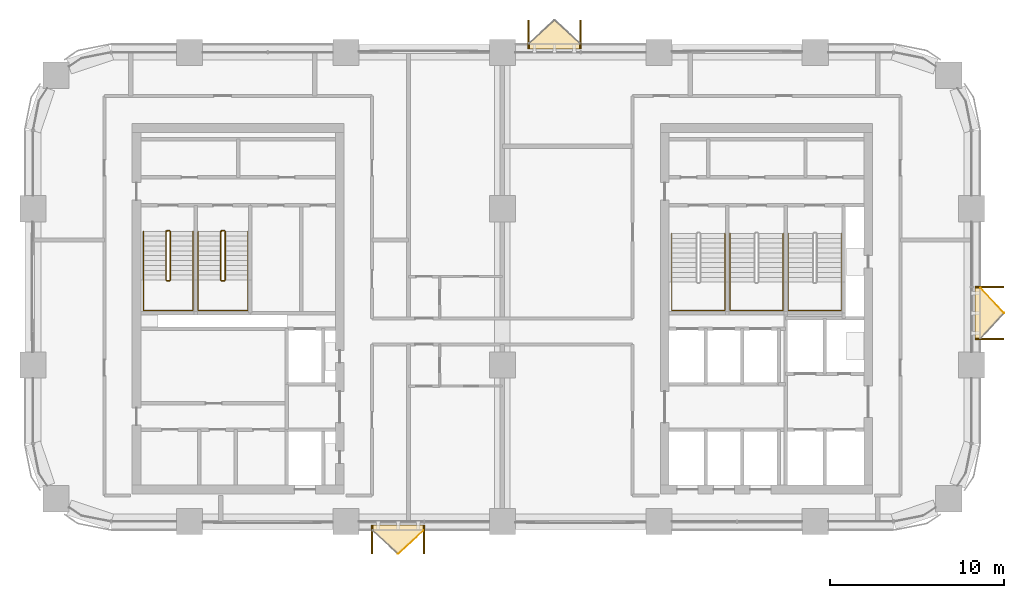
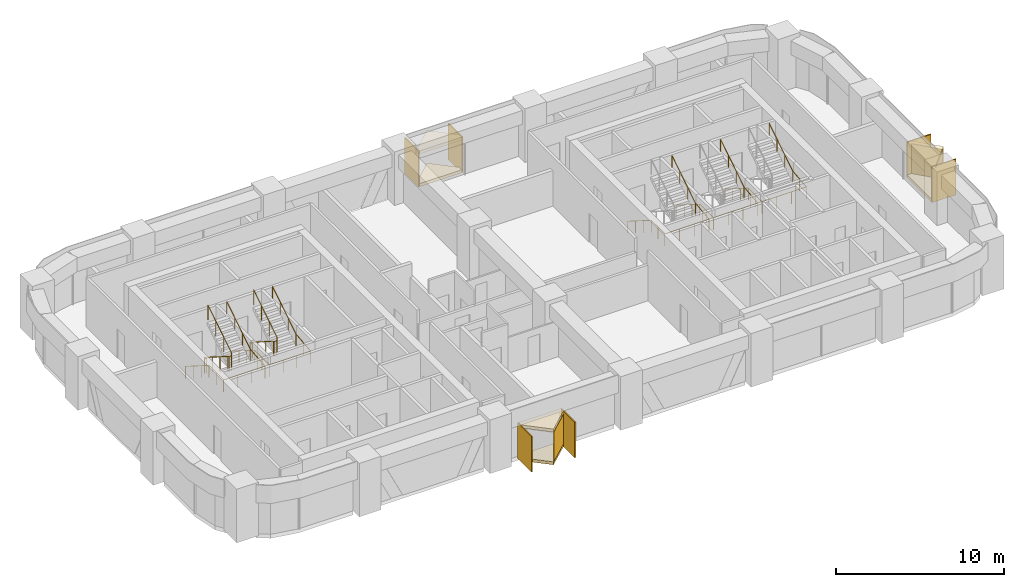
# One storey, part 12 of 13: 14 coverings, 7 railings.
"""IFC4 building model written with IfcOpenShell, lengths in metres."""

import ifcopenshell
import ifcopenshell.guid

model = None  # the IFC model being written
_history = None  # IfcOwnerHistory: only IFC2X3 demands one
_inside = {}  # id of a spatial element -> (the spatial element, [elements in it])
_under = {}  # id of a project, library or spatial element -> (it, [spatial elements below it])
_declared = {}  # id of a project -> (the project, [libraries it declares])
_typed = {}  # id of a type object -> (the type object, [elements of that type])
_made_of = {}  # id of a material, layer set ... -> (it, [elements and type objects made of it])


def new_model(schema):
    """Start an empty IFC model of exactly this schema.

    Asked for "IFC4X3", IfcOpenShell would pick the latest addendum, in which some entities
    have other attributes; the version numbers below select the first issue.
    IFC2X3 requires an IfcOwnerHistory on every rooted entity: one is made here for all.
    """
    global model, _history
    if schema == "IFC4X3":
        model = ifcopenshell.file(schema_version=(4, 3, 0, 0))
    else:
        model = ifcopenshell.file(schema=schema)
    _inside.clear()
    _under.clear()
    _declared.clear()
    _typed.clear()
    _made_of.clear()
    _history = None
    if model.schema == "IFC2X3":
        org = make("IfcOrganization", Name="unknown")
        user = make(
            "IfcPersonAndOrganization",
            ThePerson=make("IfcPerson", FamilyName="unknown"),
            TheOrganization=org,
        )
        app = make(
            "IfcApplication",
            ApplicationDeveloper=org,
            Version="unknown",
            ApplicationFullName="unknown",
            ApplicationIdentifier="unknown",
        )
        _history = make(
            "IfcOwnerHistory",
            OwningUser=user,
            OwningApplication=app,
            ChangeAction="ADDED",
            CreationDate=0,
        )
    return model


def make(cls, **values):
    """One entity of the class cls with the attributes given. An attribute that is None is left unset."""
    return model.create_entity(
        cls, **{name: value for name, value in values.items() if value is not None}
    )


def rooted(cls, **values):
    """An entity with a GlobalId (a new one), such as an element, a storey or a relation."""
    return make(cls, GlobalId=ifcopenshell.guid.new(), OwnerHistory=_history, **values)


def si_unit(unit_type, name, prefix=None):
    """IfcSIUnit, for example si_unit("LENGTHUNIT", "METRE", prefix="MILLI")."""
    return make("IfcSIUnit", UnitType=unit_type, Prefix=prefix, Name=name)


def assignment(units):
    """IfcUnitAssignment: the units of a project."""
    return None if units is None else make("IfcUnitAssignment", Units=units)


def point(xyz):
    """IfcCartesianPoint."""
    return None if xyz is None else make("IfcCartesianPoint", Coordinates=xyz)


def direction(xyz):
    """IfcDirection."""
    return None if xyz is None else make("IfcDirection", DirectionRatios=xyz)


def frame(location, z_axis=None, x_axis=None):
    """IfcAxis2Placement3D, a coordinate frame: its origin and axes. An axis left out is left unset."""
    return make(
        "IfcAxis2Placement3D",
        Location=point(location),
        Axis=direction(z_axis),
        RefDirection=direction(x_axis),
    )


def frame_2d(location, x_axis=None):
    """IfcAxis2Placement2D, a coordinate frame in the plane: its origin and x axis."""
    return make(
        "IfcAxis2Placement2D", Location=point(location), RefDirection=direction(x_axis)
    )


def origin():
    """The frame at (0, 0, 0) with its axes left unset."""
    return frame((0.0, 0.0, 0.0))


def origin_2d():
    """The frame at (0, 0) in the plane with its x axis left unset."""
    return frame_2d((0.0, 0.0))


def place(relative_to, where):
    """IfcLocalPlacement: puts the frame where relative to a parent placement (None: the world)."""
    return make(
        "IfcLocalPlacement", PlacementRelTo=relative_to, RelativePlacement=where
    )


def context(
    kind, dimensions, precision=None, world=None, true_north=None, identifier=None
):
    """IfcGeometricRepresentationContext, for example the 3D "Model" context."""
    return make(
        "IfcGeometricRepresentationContext",
        ContextIdentifier=identifier,
        ContextType=kind,
        CoordinateSpaceDimension=dimensions,
        Precision=precision,
        WorldCoordinateSystem=world,
        TrueNorth=true_north,
    )


def subcontext(parent, identifier, kind, view, scale=None):
    """IfcGeometricRepresentationSubContext, for example "Body" below "Model"."""
    return make(
        "IfcGeometricRepresentationSubContext",
        ContextIdentifier=identifier,
        ContextType=kind,
        ParentContext=parent,
        TargetScale=scale,
        TargetView=view,
    )


def project(units=None, contexts=None):
    """IfcProject with its units and contexts."""
    return rooted(
        "IfcProject",
        Name="project",
        RepresentationContexts=contexts,
        UnitsInContext=assignment(units),
    )


def spatial(cls, under=None, at=None, **own):
    """A site, building, storey or space (cls), placed at a placement, below another one or the project."""
    s = rooted(cls, ObjectPlacement=at, **own)
    if under is not None:
        _under.setdefault(under.id(), (under, []))[1].append(s)
    return s


def polyline(points):
    """IfcPolyline through the points."""
    return make("IfcPolyline", Points=[point(p) for p in points])


def profile(cls, at=None, kind="AREA", **sizes):
    """A parametric profile (cls). Its sizes go by their IFC names, for example OverallWidth=200.0."""
    return make(cls, ProfileType=kind, Position=at, **sizes)


def rectangle(**sizes):
    """IfcRectangleProfileDef."""
    return profile("IfcRectangleProfileDef", **sizes)


def circle(**sizes):
    """IfcCircleProfileDef."""
    return profile("IfcCircleProfileDef", **sizes)


def outline(outer, holes=None, kind="AREA"):
    """IfcArbitraryClosedProfileDef: a profile drawn as a closed curve; with holes, ...WithVoids."""
    if holes is None:
        return make("IfcArbitraryClosedProfileDef", ProfileType=kind, OuterCurve=outer)
    return make(
        "IfcArbitraryProfileDefWithVoids",
        ProfileType=kind,
        OuterCurve=outer,
        InnerCurves=holes,
    )


def extrude(swept, where, along, depth):
    """IfcExtrudedAreaSolid: the profile swept, set in the frame where, extruded along a direction by depth."""
    return make(
        "IfcExtrudedAreaSolid",
        SweptArea=swept,
        Position=where,
        ExtrudedDirection=direction(along),
        Depth=depth,
    )


def shape(context_of_items, identifier, shape_type, items):
    """IfcShapeRepresentation: the items that make up one representation, for example the "Body"."""
    return make(
        "IfcShapeRepresentation",
        ContextOfItems=context_of_items,
        RepresentationIdentifier=identifier,
        RepresentationType=shape_type,
        Items=items,
    )


def material(Name=None, Category=None):
    """IfcMaterial."""
    return make("IfcMaterial", Name=Name, Category=Category)


def layer(
    of_material, thickness, ventilated=None, Name=None, Category=None, Priority=None
):
    """IfcMaterialLayer: one layer of a wall or slab, of a material (None: an air gap)."""
    return make(
        "IfcMaterialLayer",
        Material=of_material,
        LayerThickness=thickness,
        IsVentilated=ventilated,
        Name=Name,
        Category=Category,
        Priority=Priority,
    )


def layer_set(layers, Name=None):
    """IfcMaterialLayerSet."""
    return make("IfcMaterialLayerSet", MaterialLayers=layers, LayerSetName=Name)


def made_of(thing, what):
    """Note that an element or type object is made of a material, layer set ...; save() writes the relation."""
    if what is not None:
        _made_of.setdefault(what.id(), (what, []))[1].append(thing)
    return thing


def type_object(cls, material=None, **own):
    """A type object (cls), such as IfcWallType, which elements share."""
    return made_of(rooted(cls, **own), material)


def element(
    cls,
    number,
    at=None,
    inside=None,
    cuts=None,
    type_object=None,
    material=None,
    context=None,
    identifier="Body",
    shape_type=None,
    held_by="IfcProductDefinitionShape",
    body=None,
    shapes=None,
    **own,
):
    """One element of the class cls, such as IfcWall. Its Tag is "e" and its number.

    at: its placement. inside: the storey or other place that contains it. cuts: it is an
    opening in that element (IfcRelVoidsElement). A single representation is given by context,
    identifier, shape_type and body (its items); several are given by shapes. held_by: the class
    of the entity that holds the representations. save() writes the other relations.
    """
    e = rooted(cls, Tag="e%d" % number, ObjectPlacement=at, **own)
    if body is not None:
        shapes = [shape(context, identifier, shape_type, body)]
    if shapes is not None:
        e.Representation = make(held_by, Representations=shapes)
    if inside is not None:
        _inside.setdefault(inside.id(), (inside, []))[1].append(e)
    if cuts is not None:
        rooted(
            "IfcRelVoidsElement", RelatingBuildingElement=cuts, RelatedOpeningElement=e
        )
    if type_object is not None:
        _typed.setdefault(type_object.id(), (type_object, []))[1].append(e)
    return made_of(e, material)


def aggregate(whole, parts):
    """IfcRelAggregates: a whole, such as a stair, and the parts it consists of."""
    return rooted("IfcRelAggregates", RelatingObject=whole, RelatedObjects=parts)


def save(model, path):
    """Write the relations noted so far, then the file.

    IfcRelAggregates (storeys below a building ...), IfcRelContainedInSpatialStructure (elements
    in a storey), IfcRelDefinesByType, IfcRelAssociatesMaterial and IfcRelDeclares: one each for
    every whole, place, type object, material and project.
    """
    for whole, parts in _under.values():
        aggregate(whole, parts)
    for where, things in _inside.values():
        rooted(
            "IfcRelContainedInSpatialStructure",
            RelatedElements=things,
            RelatingStructure=where,
        )
    for kind, things in _typed.values():
        rooted("IfcRelDefinesByType", RelatedObjects=things, RelatingType=kind)
    for what, things in _made_of.values():
        rooted("IfcRelAssociatesMaterial", RelatedObjects=things, RelatingMaterial=what)
    for by, libraries in _declared.values():
        rooted("IfcRelDeclares", RelatingContext=by, RelatedDefinitions=libraries)
    model.write(path)


model = new_model("IFC4")

# Units and contexts
model_context = context("Model", 3, precision=1e-05, world=origin(), true_north=direction((0.0, 1.0)))
body_context = subcontext(model_context, "Body", "Model", "MODEL_VIEW")
ifc_project = project(units=[si_unit("LENGTHUNIT", "METRE"), si_unit("AREAUNIT", "SQUARE_METRE"), si_unit("VOLUMEUNIT", "CUBIC_METRE"), si_unit("PLANEANGLEUNIT", "RADIAN"), si_unit("MASSUNIT", "GRAM", prefix="KILO")], contexts=[model_context])

# Site, building, storey
site_placement = place(None, origin())
site = spatial("IfcSite", under=ifc_project, at=site_placement, CompositionType="ELEMENT")
building_placement = place(site_placement, origin())
building = spatial("IfcBuilding", under=site, at=building_placement, Name="Tessera Arch", CompositionType="ELEMENT")
storey_placement = place(building_placement, frame((0.0, 0.0, 162.199951171875)))
storey = spatial("IfcBuildingStorey", under=building, at=storey_placement, Name="L38", CompositionType="ELEMENT", Elevation=162.199951171875)

# Railings
ifc_material_1 = material(Name="Painted steel balustrade", Category="steel")
railing_type_1 = type_object("IfcRailingType", Name="Stair guard 1100", PredefinedType="GUARDRAIL", material=ifc_material_1)
railing_1_placement = place(storey_placement, frame((7.699951171875, 43.75, 0.0)))
element("IfcRailing", 1, at=railing_1_placement, inside=storey, type_object=railing_type_1, Name="L38 S2a stair guard 1", PredefinedType="GUARDRAIL", context=body_context, shape_type="SweptSolid", body=[
    extrude(circle(Radius=0.02392578125, at=origin_2d()), frame((-0.00390625, 0.0, 1.076171875), z_axis=(1.0, 0.0, 0.0), x_axis=(0.0, 1.0, 0.0)), (0.0, 0.0, 1.0), 0.158203125),
    extrude(circle(Radius=0.02392578125, at=origin_2d()), frame((0.153076171875, 0.000732421875, 1.073486328125), z_axis=(-0.735936453418, -0.183984113355, 0.651573006319), x_axis=(0.242535625036, -0.970142500145, 0.0)), (0.0, 0.0, 1.0), 0.280029296875),
    extrude(circle(Radius=0.02392578125, at=origin_2d()), frame((-0.050048828125, -0.046630859375, 1.251220703125), z_axis=(0.0, -0.844908973607, 0.534910110503), x_axis=(1.0, 0.0, 0.0)), (0.0, 0.0, 1.0), 3.322021484375),
    extrude(circle(Radius=0.02392578125, at=origin_2d()), frame((-0.052978515625, -2.84716796875, 3.02587890625), z_axis=(0.708833529934, -0.705375805398, 0.0), x_axis=(0.705375805398, 0.708833529934, 0.0)), (0.0, 0.0, 1.0), 0.07861328125),
    extrude(circle(Radius=0.02392578125, at=origin_2d()), frame((-0.00390625, -2.89990234375, 3.02587890625), z_axis=(1.0, 0.0, 0.0), x_axis=(0.0, 1.0, 0.0)), (0.0, 0.0, 1.0), 0.158203125),
    extrude(circle(Radius=0.02392578125, at=origin_2d()), frame((0.149169921875, -2.90087890625, 3.022216796875), z_axis=(0.26081902908, 0.26081902908, 0.92948742226), x_axis=(-0.707106781187, 0.707106781187, 0.0)), (0.0, 0.0, 1.0), 0.198974609375),
    extrude(circle(Radius=0.02392578125, at=origin_2d()), frame((0.199951171875, -2.853515625, 3.201416015625), z_axis=(0.0, 0.844908973607, 0.534910110503), x_axis=(-1.0, 0.0, 0.0)), (0.0, 0.0, 1.0), 3.322021484375),
    extrude(circle(Radius=0.02099609375, at=origin_2d()), origin(), (0.0, 0.0, 1.0), 1.06396484375),
    extrude(circle(Radius=0.02099609375, at=origin_2d()), frame((0.150146484375, 0.0, 0.0)), (0.0, 0.0, 1.0), 1.06396484375),
    extrude(circle(Radius=0.02099609375, at=origin_2d()), frame((-0.050048828125, -0.050048828125, 0.17724609375)), (0.0, 0.0, 1.0), 1.06396484375),
    extrude(circle(Radius=0.02099609375, at=origin_2d()), frame((-0.050048828125, -0.9833984375, 0.76806640625)), (0.0, 0.0, 1.0), 1.06396484375),
    extrude(circle(Radius=0.02099609375, at=origin_2d()), frame((-0.050048828125, -1.916748046875, 1.359130859375)), (0.0, 0.0, 1.0), 1.06396484375),
    extrude(circle(Radius=0.02099609375, at=origin_2d()), frame((-0.050048828125, -2.85009765625, 1.949951171875)), (0.0, 0.0, 1.0), 1.06396484375),
    extrude(circle(Radius=0.02099609375, at=origin_2d()), frame((0.0, -2.89990234375, 1.949951171875)), (0.0, 0.0, 1.0), 1.06396484375),
    extrude(circle(Radius=0.02099609375, at=origin_2d()), frame((0.150146484375, -2.89990234375, 1.949951171875)), (0.0, 0.0, 1.0), 1.06396484375),
    extrude(circle(Radius=0.02099609375, at=origin_2d()), frame((0.199951171875, -2.85009765625, 2.12744140625)), (0.0, 0.0, 1.0), 1.06396484375),
    extrude(circle(Radius=0.02099609375, at=origin_2d()), frame((0.199951171875, -1.916748046875, 2.71826171875)), (0.0, 0.0, 1.0), 1.06396484375),
    extrude(circle(Radius=0.02099609375, at=origin_2d()), frame((0.199951171875, -0.9833984375, 3.309326171875)), (0.0, 0.0, 1.0), 1.06396484375),
    extrude(circle(Radius=0.02099609375, at=origin_2d()), frame((0.199951171875, -0.050048828125, 3.900146484375)), (0.0, 0.0, 1.0), 1.06396484375),
])
railing_2_placement = place(storey_placement, frame((10.85009765625, 43.75, 0.0)))
element("IfcRailing", 2, at=railing_2_placement, inside=storey, type_object=railing_type_1, Name="L38 S2b stair guard 1", PredefinedType="GUARDRAIL", context=body_context, shape_type="SweptSolid", body=[
    extrude(circle(Radius=0.02392578125, at=origin_2d()), frame((-0.00390625, 0.0, 1.076171875), z_axis=(1.0, 0.0, 0.0), x_axis=(0.0, 1.0, 0.0)), (0.0, 0.0, 1.0), 0.157958984375),
    extrude(circle(Radius=0.02392578125, at=origin_2d()), frame((0.15283203125, 0.000732421875, 1.073486328125), z_axis=(-0.735524641326, -0.184105679453, 0.652003528208), x_axis=(0.242814311512, -0.970072785993, 0.0)), (0.0, 0.0, 1.0), 0.27978515625),
    extrude(circle(Radius=0.02392578125, at=origin_2d()), frame((-0.050048828125, -0.046630859375, 1.251220703125), z_axis=(0.0, -0.844908973607, 0.534910110503), x_axis=(1.0, 0.0, 0.0)), (0.0, 0.0, 1.0), 3.322021484375),
    extrude(circle(Radius=0.02392578125, at=origin_2d()), frame((-0.052978515625, -2.84716796875, 3.02587890625), z_axis=(0.708833529934, -0.705375805398, 0.0), x_axis=(0.705375805398, 0.708833529934, 0.0)), (0.0, 0.0, 1.0), 0.07861328125),
    extrude(circle(Radius=0.02392578125, at=origin_2d()), frame((-0.00390625, -2.89990234375, 3.02587890625), z_axis=(1.0, 0.0, 0.0), x_axis=(0.0, 1.0, 0.0)), (0.0, 0.0, 1.0), 0.157958984375),
    extrude(circle(Radius=0.02392578125, at=origin_2d()), frame((0.14892578125, -2.90087890625, 3.022216796875), z_axis=(0.262009983441, 0.260731885961, 0.929176868105), x_axis=(-0.705375805398, 0.708833529934, 0.0)), (0.0, 0.0, 1.0), 0.198974609375),
    extrude(circle(Radius=0.02392578125, at=origin_2d()), frame((0.199951171875, -2.853515625, 3.201416015625), z_axis=(0.0, 0.844908973607, 0.534910110503), x_axis=(-1.0, 0.0, 0.0)), (0.0, 0.0, 1.0), 3.322021484375),
    extrude(circle(Radius=0.02099609375, at=origin_2d()), origin(), (0.0, 0.0, 1.0), 1.06396484375),
    extrude(circle(Radius=0.02099609375, at=origin_2d()), frame((0.14990234375, 0.0, 0.0)), (0.0, 0.0, 1.0), 1.06396484375),
    extrude(circle(Radius=0.02099609375, at=origin_2d()), frame((-0.050048828125, -0.050048828125, 0.17724609375)), (0.0, 0.0, 1.0), 1.06396484375),
    extrude(circle(Radius=0.02099609375, at=origin_2d()), frame((-0.050048828125, -0.9833984375, 0.76806640625)), (0.0, 0.0, 1.0), 1.06396484375),
    extrude(circle(Radius=0.02099609375, at=origin_2d()), frame((-0.050048828125, -1.916748046875, 1.359130859375)), (0.0, 0.0, 1.0), 1.06396484375),
    extrude(circle(Radius=0.02099609375, at=origin_2d()), frame((-0.050048828125, -2.85009765625, 1.949951171875)), (0.0, 0.0, 1.0), 1.06396484375),
    extrude(circle(Radius=0.02099609375, at=origin_2d()), frame((0.0, -2.89990234375, 1.949951171875)), (0.0, 0.0, 1.0), 1.06396484375),
    extrude(circle(Radius=0.02099609375, at=origin_2d()), frame((0.14990234375, -2.89990234375, 1.949951171875)), (0.0, 0.0, 1.0), 1.06396484375),
    extrude(circle(Radius=0.02099609375, at=origin_2d()), frame((0.199951171875, -2.85009765625, 2.12744140625)), (0.0, 0.0, 1.0), 1.06396484375),
    extrude(circle(Radius=0.02099609375, at=origin_2d()), frame((0.199951171875, -1.916748046875, 2.71826171875)), (0.0, 0.0, 1.0), 1.06396484375),
    extrude(circle(Radius=0.02099609375, at=origin_2d()), frame((0.199951171875, -0.9833984375, 3.309326171875)), (0.0, 0.0, 1.0), 1.06396484375),
    extrude(circle(Radius=0.02099609375, at=origin_2d()), frame((0.199951171875, -0.050048828125, 3.900146484375)), (0.0, 0.0, 1.0), 1.06396484375),
])
ifc_material_2 = material(Name="Painted steel handrail", Category="steel")
railing_type_2 = type_object("IfcRailingType", Name="Stair handrail 900", PredefinedType="HANDRAIL", material=ifc_material_2)
railing_3_placement = place(storey_placement, frame((36.75, 43.580078125, 0.17724609375)))
element("IfcRailing", 3, at=railing_3_placement, inside=storey, type_object=railing_type_2, Name="L38 S1a stair handrail", PredefinedType="HANDRAIL", context=body_context, shape_type="SweptSolid", body=[
    extrude(circle(Radius=0.02392578125, at=origin_2d()), frame((0.0, 0.00341796875, 0.873779296875), z_axis=(0.0, -0.844908973607, 0.534910110503), x_axis=(1.0, 0.0, 0.0)), (0.0, 0.0, 1.0), 3.322021484375),
    extrude(circle(Radius=0.02392578125, at=origin_2d()), frame((0.0, -2.796142578125, 2.6484375), z_axis=(0.0, -1.0, 0.0), x_axis=(1.0, 0.0, 0.0)), (0.0, 0.0, 1.0), 1.63818359375),
    extrude(circle(Radius=0.02392578125, at=origin_2d()), frame((-0.00390625, -4.43017578125, 2.6484375), z_axis=(1.0, 0.0, 0.0), x_axis=(0.0, 1.0, 0.0)), (0.0, 0.0, 1.0), 3.05810546875),
    extrude(circle(Radius=0.02392578125, at=origin_2d()), frame((3.050048828125, -4.43408203125, 2.648193359375), z_axis=(0.0, 0.994124627078, 0.108241516233), x_axis=(-1.0, 0.0, 0.0)), (0.0, 0.0, 1.0), 1.647705078125),
    extrude(circle(Radius=0.02392578125, at=origin_2d()), frame((3.050048828125, -2.803466796875, 2.823974609375), z_axis=(0.0, 0.844908973607, 0.534910110503), x_axis=(-1.0, 0.0, 0.0)), (0.0, 0.0, 1.0), 3.322021484375),
    extrude(circle(Radius=0.02099609375, at=origin_2d()), origin(), (0.0, 0.0, 1.0), 0.86376953125),
    extrude(circle(Radius=0.02099609375, at=origin_2d()), frame((0.0, -0.933349609375, 0.5908203125)), (0.0, 0.0, 1.0), 0.86376953125),
    extrude(circle(Radius=0.02099609375, at=origin_2d()), frame((0.0, -1.86669921875, 1.181884765625)), (0.0, 0.0, 1.0), 0.86376953125),
    extrude(circle(Radius=0.02099609375, at=origin_2d()), frame((0.0, -2.800048828125, 1.772705078125)), (0.0, 0.0, 1.0), 0.86376953125),
    extrude(circle(Radius=0.02099609375, at=origin_2d()), frame((0.0, -3.615234375, 1.772705078125)), (0.0, 0.0, 1.0), 0.86376953125),
    extrude(circle(Radius=0.02099609375, at=origin_2d()), frame((0.0, -4.43017578125, 1.772705078125)), (0.0, 0.0, 1.0), 0.86376953125),
    extrude(circle(Radius=0.02099609375, at=origin_2d()), frame((1.0166015625, -4.43017578125, 1.772705078125)), (0.0, 0.0, 1.0), 0.86376953125),
    extrude(circle(Radius=0.02099609375, at=origin_2d()), frame((2.033447265625, -4.43017578125, 1.772705078125)), (0.0, 0.0, 1.0), 0.86376953125),
    extrude(circle(Radius=0.02099609375, at=origin_2d()), frame((3.050048828125, -4.43017578125, 1.772705078125)), (0.0, 0.0, 1.0), 0.86376953125),
    extrude(circle(Radius=0.02099609375, at=origin_2d()), frame((3.050048828125, -3.615234375, 1.861328125)), (0.0, 0.0, 1.0), 0.86376953125),
    extrude(circle(Radius=0.02099609375, at=origin_2d()), frame((3.050048828125, -2.800048828125, 1.9501953125)), (0.0, 0.0, 1.0), 0.86376953125),
    extrude(circle(Radius=0.02099609375, at=origin_2d()), frame((3.050048828125, -1.86669921875, 2.541015625)), (0.0, 0.0, 1.0), 0.86376953125),
    extrude(circle(Radius=0.02099609375, at=origin_2d()), frame((3.050048828125, -0.933349609375, 3.132080078125)), (0.0, 0.0, 1.0), 0.86376953125),
    extrude(circle(Radius=0.02099609375, at=origin_2d()), frame((3.050048828125, 0.0, 3.722900390625)), (0.0, 0.0, 1.0), 0.86376953125),
])
railing_4_placement = place(storey_placement, frame((40.10009765625, 43.580078125, 0.17724609375)))
element("IfcRailing", 4, at=railing_4_placement, inside=storey, type_object=railing_type_2, Name="L38 S1b stair handrail", PredefinedType="HANDRAIL", context=body_context, shape_type="SweptSolid", body=[
    extrude(circle(Radius=0.02392578125, at=origin_2d()), frame((0.0, 0.00341796875, 0.873779296875), z_axis=(0.0, -0.844908973607, 0.534910110503), x_axis=(1.0, 0.0, 0.0)), (0.0, 0.0, 1.0), 3.322021484375),
    extrude(circle(Radius=0.02392578125, at=origin_2d()), frame((0.0, -2.796142578125, 2.6484375), z_axis=(0.0, -1.0, 0.0), x_axis=(1.0, 0.0, 0.0)), (0.0, 0.0, 1.0), 1.63818359375),
    extrude(circle(Radius=0.02392578125, at=origin_2d()), frame((-0.00390625, -4.43017578125, 2.6484375), z_axis=(1.0, 0.0, 0.0), x_axis=(0.0, 1.0, 0.0)), (0.0, 0.0, 1.0), 3.057861328125),
    extrude(circle(Radius=0.02392578125, at=origin_2d()), frame((3.0498046875, -4.43408203125, 2.648193359375), z_axis=(0.0, 0.994124627078, 0.108241516233), x_axis=(-1.0, 0.0, 0.0)), (0.0, 0.0, 1.0), 1.647705078125),
    extrude(circle(Radius=0.02392578125, at=origin_2d()), frame((3.0498046875, -2.803466796875, 2.823974609375), z_axis=(0.0, 0.844908973607, 0.534910110503), x_axis=(-1.0, 0.0, 0.0)), (0.0, 0.0, 1.0), 3.322021484375),
    extrude(circle(Radius=0.02099609375, at=origin_2d()), origin(), (0.0, 0.0, 1.0), 0.86376953125),
    extrude(circle(Radius=0.02099609375, at=origin_2d()), frame((0.0, -0.933349609375, 0.5908203125)), (0.0, 0.0, 1.0), 0.86376953125),
    extrude(circle(Radius=0.02099609375, at=origin_2d()), frame((0.0, -1.86669921875, 1.181884765625)), (0.0, 0.0, 1.0), 0.86376953125),
    extrude(circle(Radius=0.02099609375, at=origin_2d()), frame((0.0, -2.800048828125, 1.772705078125)), (0.0, 0.0, 1.0), 0.86376953125),
    extrude(circle(Radius=0.02099609375, at=origin_2d()), frame((0.0, -3.615234375, 1.772705078125)), (0.0, 0.0, 1.0), 0.86376953125),
    extrude(circle(Radius=0.02099609375, at=origin_2d()), frame((0.0, -4.43017578125, 1.772705078125)), (0.0, 0.0, 1.0), 0.86376953125),
    extrude(circle(Radius=0.02099609375, at=origin_2d()), frame((1.0166015625, -4.43017578125, 1.772705078125)), (0.0, 0.0, 1.0), 0.86376953125),
    extrude(circle(Radius=0.02099609375, at=origin_2d()), frame((2.033203125, -4.43017578125, 1.772705078125)), (0.0, 0.0, 1.0), 0.86376953125),
    extrude(circle(Radius=0.02099609375, at=origin_2d()), frame((3.0498046875, -4.43017578125, 1.772705078125)), (0.0, 0.0, 1.0), 0.86376953125),
    extrude(circle(Radius=0.02099609375, at=origin_2d()), frame((3.0498046875, -3.615234375, 1.861328125)), (0.0, 0.0, 1.0), 0.86376953125),
    extrude(circle(Radius=0.02099609375, at=origin_2d()), frame((3.0498046875, -2.800048828125, 1.9501953125)), (0.0, 0.0, 1.0), 0.86376953125),
    extrude(circle(Radius=0.02099609375, at=origin_2d()), frame((3.0498046875, -1.86669921875, 2.541015625)), (0.0, 0.0, 1.0), 0.86376953125),
    extrude(circle(Radius=0.02099609375, at=origin_2d()), frame((3.0498046875, -0.933349609375, 3.132080078125)), (0.0, 0.0, 1.0), 0.86376953125),
    extrude(circle(Radius=0.02099609375, at=origin_2d()), frame((3.0498046875, 0.0, 3.722900390625)), (0.0, 0.0, 1.0), 0.86376953125),
])
railing_5_placement = place(storey_placement, frame((43.449951171875, 43.580078125, 0.17724609375)))
element("IfcRailing", 5, at=railing_5_placement, inside=storey, type_object=railing_type_2, Name="L38 S1c stair handrail", PredefinedType="HANDRAIL", context=body_context, shape_type="SweptSolid", body=[
    extrude(circle(Radius=0.02392578125, at=origin_2d()), frame((0.0, 0.00341796875, 0.873779296875), z_axis=(0.0, -0.844908973607, 0.534910110503), x_axis=(1.0, 0.0, 0.0)), (0.0, 0.0, 1.0), 3.322021484375),
    extrude(circle(Radius=0.02392578125, at=origin_2d()), frame((0.0, -2.796142578125, 2.6484375), z_axis=(0.0, -1.0, 0.0), x_axis=(1.0, 0.0, 0.0)), (0.0, 0.0, 1.0), 1.63818359375),
    extrude(circle(Radius=0.02392578125, at=origin_2d()), frame((-0.00390625, -4.43017578125, 2.6484375), z_axis=(1.0, 0.0, 0.0), x_axis=(0.0, 1.0, 0.0)), (0.0, 0.0, 1.0), 3.05810546875),
    extrude(circle(Radius=0.02392578125, at=origin_2d()), frame((3.050048828125, -4.43408203125, 2.648193359375), z_axis=(0.0, 0.994124627078, 0.108241516233), x_axis=(-1.0, 0.0, 0.0)), (0.0, 0.0, 1.0), 1.647705078125),
    extrude(circle(Radius=0.02392578125, at=origin_2d()), frame((3.050048828125, -2.803466796875, 2.823974609375), z_axis=(0.0, 0.844908973607, 0.534910110503), x_axis=(-1.0, 0.0, 0.0)), (0.0, 0.0, 1.0), 3.322021484375),
    extrude(circle(Radius=0.02099609375, at=origin_2d()), origin(), (0.0, 0.0, 1.0), 0.86376953125),
    extrude(circle(Radius=0.02099609375, at=origin_2d()), frame((0.0, -0.933349609375, 0.5908203125)), (0.0, 0.0, 1.0), 0.86376953125),
    extrude(circle(Radius=0.02099609375, at=origin_2d()), frame((0.0, -1.86669921875, 1.181884765625)), (0.0, 0.0, 1.0), 0.86376953125),
    extrude(circle(Radius=0.02099609375, at=origin_2d()), frame((0.0, -2.800048828125, 1.772705078125)), (0.0, 0.0, 1.0), 0.86376953125),
    extrude(circle(Radius=0.02099609375, at=origin_2d()), frame((0.0, -3.615234375, 1.772705078125)), (0.0, 0.0, 1.0), 0.86376953125),
    extrude(circle(Radius=0.02099609375, at=origin_2d()), frame((0.0, -4.43017578125, 1.772705078125)), (0.0, 0.0, 1.0), 0.86376953125),
    extrude(circle(Radius=0.02099609375, at=origin_2d()), frame((1.0166015625, -4.43017578125, 1.772705078125)), (0.0, 0.0, 1.0), 0.86376953125),
    extrude(circle(Radius=0.02099609375, at=origin_2d()), frame((2.033447265625, -4.43017578125, 1.772705078125)), (0.0, 0.0, 1.0), 0.86376953125),
    extrude(circle(Radius=0.02099609375, at=origin_2d()), frame((3.050048828125, -4.43017578125, 1.772705078125)), (0.0, 0.0, 1.0), 0.86376953125),
    extrude(circle(Radius=0.02099609375, at=origin_2d()), frame((3.050048828125, -3.615234375, 1.861328125)), (0.0, 0.0, 1.0), 0.86376953125),
    extrude(circle(Radius=0.02099609375, at=origin_2d()), frame((3.050048828125, -2.800048828125, 1.9501953125)), (0.0, 0.0, 1.0), 0.86376953125),
    extrude(circle(Radius=0.02099609375, at=origin_2d()), frame((3.050048828125, -1.86669921875, 2.541015625)), (0.0, 0.0, 1.0), 0.86376953125),
    extrude(circle(Radius=0.02099609375, at=origin_2d()), frame((3.050048828125, -0.933349609375, 3.132080078125)), (0.0, 0.0, 1.0), 0.86376953125),
    extrude(circle(Radius=0.02099609375, at=origin_2d()), frame((3.050048828125, 0.0, 3.722900390625)), (0.0, 0.0, 1.0), 0.86376953125),
])
railing_6_placement = place(storey_placement, frame((6.35009765625, 43.699951171875, 0.17724609375)))
element("IfcRailing", 6, at=railing_6_placement, inside=storey, type_object=railing_type_2, Name="L38 S2a stair handrail", PredefinedType="HANDRAIL", context=body_context, shape_type="SweptSolid", body=[
    extrude(circle(Radius=0.02392578125, at=origin_2d()), frame((0.0, 0.00341796875, 0.873779296875), z_axis=(0.0, -0.844908973607, 0.534910110503), x_axis=(1.0, 0.0, 0.0)), (0.0, 0.0, 1.0), 3.322021484375),
    extrude(circle(Radius=0.02392578125, at=origin_2d()), frame((0.0, -2.796142578125, 2.6484375), z_axis=(0.0, -1.0, 0.0), x_axis=(1.0, 0.0, 0.0)), (0.0, 0.0, 1.0), 1.758056640625),
    extrude(circle(Radius=0.02392578125, at=origin_2d()), frame((-0.00390625, -4.550048828125, 2.6484375), z_axis=(1.0, 0.0, 0.0), x_axis=(0.0, 1.0, 0.0)), (0.0, 0.0, 1.0), 2.85791015625),
    extrude(circle(Radius=0.02392578125, at=origin_2d()), frame((2.849853515625, -4.553955078125, 2.648193359375), z_axis=(0.0, 0.994896031807, 0.100905331351), x_axis=(-1.0, 0.0, 0.0)), (0.0, 0.0, 1.0), 1.76708984375),
    extrude(circle(Radius=0.02392578125, at=origin_2d()), frame((2.849853515625, -2.803466796875, 2.823974609375), z_axis=(0.0, 0.844908973607, 0.534910110503), x_axis=(-1.0, 0.0, 0.0)), (0.0, 0.0, 1.0), 3.322021484375),
    extrude(circle(Radius=0.02099609375, at=origin_2d()), origin(), (0.0, 0.0, 1.0), 0.86376953125),
    extrude(circle(Radius=0.02099609375, at=origin_2d()), frame((0.0, -0.933349609375, 0.5908203125)), (0.0, 0.0, 1.0), 0.86376953125),
    extrude(circle(Radius=0.02099609375, at=origin_2d()), frame((0.0, -1.86669921875, 1.181884765625)), (0.0, 0.0, 1.0), 0.86376953125),
    extrude(circle(Radius=0.02099609375, at=origin_2d()), frame((0.0, -2.800048828125, 1.772705078125)), (0.0, 0.0, 1.0), 0.86376953125),
    extrude(circle(Radius=0.02099609375, at=origin_2d()), frame((0.0, -3.675048828125, 1.772705078125)), (0.0, 0.0, 1.0), 0.86376953125),
    extrude(circle(Radius=0.02099609375, at=origin_2d()), frame((0.0, -4.550048828125, 1.772705078125)), (0.0, 0.0, 1.0), 0.86376953125),
    extrude(circle(Radius=0.02099609375, at=origin_2d()), frame((0.949951171875, -4.550048828125, 1.772705078125)), (0.0, 0.0, 1.0), 0.86376953125),
    extrude(circle(Radius=0.02099609375, at=origin_2d()), frame((1.89990234375, -4.550048828125, 1.772705078125)), (0.0, 0.0, 1.0), 0.86376953125),
    extrude(circle(Radius=0.02099609375, at=origin_2d()), frame((2.849853515625, -4.550048828125, 1.772705078125)), (0.0, 0.0, 1.0), 0.86376953125),
    extrude(circle(Radius=0.02099609375, at=origin_2d()), frame((2.849853515625, -3.675048828125, 1.861328125)), (0.0, 0.0, 1.0), 0.86376953125),
    extrude(circle(Radius=0.02099609375, at=origin_2d()), frame((2.849853515625, -2.800048828125, 1.9501953125)), (0.0, 0.0, 1.0), 0.86376953125),
    extrude(circle(Radius=0.02099609375, at=origin_2d()), frame((2.849853515625, -1.86669921875, 2.541015625)), (0.0, 0.0, 1.0), 0.86376953125),
    extrude(circle(Radius=0.02099609375, at=origin_2d()), frame((2.849853515625, -0.933349609375, 3.132080078125)), (0.0, 0.0, 1.0), 0.86376953125),
    extrude(circle(Radius=0.02099609375, at=origin_2d()), frame((2.849853515625, 0.0, 3.722900390625)), (0.0, 0.0, 1.0), 0.86376953125),
])
railing_7_placement = place(storey_placement, frame((9.5, 43.699951171875, 0.17724609375)))
element("IfcRailing", 7, at=railing_7_placement, inside=storey, type_object=railing_type_2, Name="L38 S2b stair handrail", PredefinedType="HANDRAIL", context=body_context, shape_type="SweptSolid", body=[
    extrude(circle(Radius=0.02392578125, at=origin_2d()), frame((0.0, 0.00341796875, 0.873779296875), z_axis=(0.0, -0.844908973607, 0.534910110503), x_axis=(1.0, 0.0, 0.0)), (0.0, 0.0, 1.0), 3.322021484375),
    extrude(circle(Radius=0.02392578125, at=origin_2d()), frame((0.0, -2.796142578125, 2.6484375), z_axis=(0.0, -1.0, 0.0), x_axis=(1.0, 0.0, 0.0)), (0.0, 0.0, 1.0), 1.758056640625),
    extrude(circle(Radius=0.02392578125, at=origin_2d()), frame((-0.00390625, -4.550048828125, 2.6484375), z_axis=(1.0, 0.0, 0.0), x_axis=(0.0, 1.0, 0.0)), (0.0, 0.0, 1.0), 2.858154296875),
    extrude(circle(Radius=0.02392578125, at=origin_2d()), frame((2.85009765625, -4.553955078125, 2.648193359375), z_axis=(0.0, 0.994896031807, 0.100905331351), x_axis=(-1.0, 0.0, 0.0)), (0.0, 0.0, 1.0), 1.76708984375),
    extrude(circle(Radius=0.02392578125, at=origin_2d()), frame((2.85009765625, -2.803466796875, 2.823974609375), z_axis=(0.0, 0.844908973607, 0.534910110503), x_axis=(-1.0, 0.0, 0.0)), (0.0, 0.0, 1.0), 3.322021484375),
    extrude(circle(Radius=0.02099609375, at=origin_2d()), origin(), (0.0, 0.0, 1.0), 0.86376953125),
    extrude(circle(Radius=0.02099609375, at=origin_2d()), frame((0.0, -0.933349609375, 0.5908203125)), (0.0, 0.0, 1.0), 0.86376953125),
    extrude(circle(Radius=0.02099609375, at=origin_2d()), frame((0.0, -1.86669921875, 1.181884765625)), (0.0, 0.0, 1.0), 0.86376953125),
    extrude(circle(Radius=0.02099609375, at=origin_2d()), frame((0.0, -2.800048828125, 1.772705078125)), (0.0, 0.0, 1.0), 0.86376953125),
    extrude(circle(Radius=0.02099609375, at=origin_2d()), frame((0.0, -3.675048828125, 1.772705078125)), (0.0, 0.0, 1.0), 0.86376953125),
    extrude(circle(Radius=0.02099609375, at=origin_2d()), frame((0.0, -4.550048828125, 1.772705078125)), (0.0, 0.0, 1.0), 0.86376953125),
    extrude(circle(Radius=0.02099609375, at=origin_2d()), frame((0.949951171875, -4.550048828125, 1.772705078125)), (0.0, 0.0, 1.0), 0.86376953125),
    extrude(circle(Radius=0.02099609375, at=origin_2d()), frame((1.900146484375, -4.550048828125, 1.772705078125)), (0.0, 0.0, 1.0), 0.86376953125),
    extrude(circle(Radius=0.02099609375, at=origin_2d()), frame((2.85009765625, -4.550048828125, 1.772705078125)), (0.0, 0.0, 1.0), 0.86376953125),
    extrude(circle(Radius=0.02099609375, at=origin_2d()), frame((2.85009765625, -3.675048828125, 1.861328125)), (0.0, 0.0, 1.0), 0.86376953125),
    extrude(circle(Radius=0.02099609375, at=origin_2d()), frame((2.85009765625, -2.800048828125, 1.9501953125)), (0.0, 0.0, 1.0), 0.86376953125),
    extrude(circle(Radius=0.02099609375, at=origin_2d()), frame((2.85009765625, -1.86669921875, 2.541015625)), (0.0, 0.0, 1.0), 0.86376953125),
    extrude(circle(Radius=0.02099609375, at=origin_2d()), frame((2.85009765625, -0.933349609375, 3.132080078125)), (0.0, 0.0, 1.0), 0.86376953125),
    extrude(circle(Radius=0.02099609375, at=origin_2d()), frame((2.85009765625, 0.0, 3.722900390625)), (0.0, 0.0, 1.0), 0.86376953125),
])

# Coverings
ifc_material_3 = material(Name="Anodised aluminium pale metal", Category="aluminium")
ifc_layer_1 = layer(ifc_material_3, 0.080078125)
ifc_layer_set_1 = layer_set([ifc_layer_1], Name="Window box cheek")
covering_type_1 = type_object("IfcCoveringType", Name="Window box cheek", PredefinedType="CLADDING", material=ifc_layer_set_1)
covering_1_placement = place(storey_placement, origin())
element("IfcCovering", 8, at=covering_1_placement, inside=storey, type_object=covering_type_1, Name="Window box S27.0/2.0 1x1 cheek", PredefinedType="CLADDING", context=body_context, shape_type="SweptSolid", body=[
    extrude(outline(polyline([(19.469970703125, 25.14990234375), (19.550048828125, 25.14990234375), (19.550048828125, 26.800048828125), (19.469970703125, 26.800048828125), (19.469970703125, 25.14990234375)])), origin(), (0.0, 0.0, 1.0), 2.60009765625),
])
covering_2_placement = place(storey_placement, origin())
element("IfcCovering", 9, at=covering_2_placement, inside=storey, type_object=covering_type_1, Name="Window box S27.0/2.0 1x1 cheek", PredefinedType="CLADDING", context=body_context, shape_type="SweptSolid", body=[
    extrude(outline(polyline([(22.449951171875, 25.14990234375), (22.530029296875, 25.14990234375), (22.530029296875, 26.800048828125), (22.449951171875, 26.800048828125), (22.449951171875, 25.14990234375)])), origin(), (0.0, 0.0, 1.0), 2.60009765625),
])
covering_3_placement = place(storey_placement, origin())
element("IfcCovering", 10, at=covering_3_placement, inside=storey, type_object=covering_type_1, Name="Window box N54.0/2.1 1x1 cheek", PredefinedType="CLADDING", context=body_context, shape_type="SweptSolid", body=[
    extrude(outline(polyline([(31.530029296875, 55.85009765625), (31.449951171875, 55.85009765625), (31.449951171875, 54.199951171875), (31.530029296875, 54.199951171875), (31.530029296875, 55.85009765625)])), origin(), (0.0, 0.0, 1.0), 2.60009765625),
])
covering_4_placement = place(storey_placement, origin())
element("IfcCovering", 11, at=covering_4_placement, inside=storey, type_object=covering_type_1, Name="Window box N54.0/2.1 1x1 cheek", PredefinedType="CLADDING", context=body_context, shape_type="SweptSolid", body=[
    extrude(outline(polyline([(28.550048828125, 55.85009765625), (28.469970703125, 55.85009765625), (28.469970703125, 54.199951171875), (28.550048828125, 54.199951171875), (28.550048828125, 55.85009765625)])), origin(), (0.0, 0.0, 1.0), 2.60009765625),
])
covering_5_placement = place(storey_placement, origin())
element("IfcCovering", 12, at=covering_5_placement, inside=storey, type_object=covering_type_1, Name="Window box E54.27/0.0 1x1 cheek", PredefinedType="CLADDING", context=body_context, shape_type="SweptSolid", body=[
    extrude(outline(polyline([(55.85009765625, 37.469970703125), (55.85009765625, 37.550048828125), (54.199951171875, 37.550048828125), (54.199951171875, 37.469970703125), (55.85009765625, 37.469970703125)])), origin(), (0.0, 0.0, 1.0), 2.60009765625),
])
covering_6_placement = place(storey_placement, origin())
element("IfcCovering", 13, at=covering_6_placement, inside=storey, type_object=covering_type_1, Name="Window box E54.27/0.0 1x1 cheek", PredefinedType="CLADDING", context=body_context, shape_type="SweptSolid", body=[
    extrude(outline(polyline([(55.85009765625, 40.449951171875), (55.85009765625, 40.530029296875), (54.199951171875, 40.530029296875), (54.199951171875, 40.449951171875), (55.85009765625, 40.449951171875)])), origin(), (0.0, 0.0, 1.0), 2.60009765625),
])
ifc_material_4 = material(Name="Anodised aluminium gold", Category="aluminium")
ifc_layer_2 = layer(ifc_material_4, 0.219970703125)
ifc_layer_set_2 = layer_set([ifc_layer_2], Name="Window box frame plate gold")
covering_type_2 = type_object("IfcCoveringType", Name="Window box frame plate gold", PredefinedType="CLADDING", material=ifc_layer_set_2)
for number, where, name in (
    (14, (0.0, 0.0, 0.0), "Window box N54.0/2.1 1x1 floor"),
    (15, (0.0, 0.0, 2.380126953125), "Window box N54.0/2.1 1x1 roof"),
):
    element("IfcCovering", number, at=place(storey_placement, frame(where)), inside=storey, type_object=covering_type_2, Name=name, PredefinedType="CLADDING", context=body_context, shape_type="SweptSolid", body=[
        extrude(outline(polyline([(31.449951171875, 54.510009765625), (30.0, 55.85009765625), (28.550048828125, 54.510009765625), (28.550048828125, 54.199951171875), (31.449951171875, 54.199951171875), (31.449951171875, 54.510009765625)])), origin(), (0.0, 0.0, 1.0), 0.219970703125),
    ])
ifc_material_5 = material(Name="Anodised aluminium pale metal", Category="aluminium")
ifc_layer_3 = layer(ifc_material_5, 0.219970703125)
ifc_layer_set_3 = layer_set([ifc_layer_3], Name="Window box frame plate pale metal")
covering_type_3 = type_object("IfcCoveringType", Name="Window box frame plate pale metal", PredefinedType="CLADDING", material=ifc_layer_set_3)
for number, where, name in (
    (16, (0.0, 0.0, 0.0), "Window box E54.27/0.0 1x1 floor"),
    (17, (0.0, 0.0, 2.380126953125), "Window box E54.27/0.0 1x1 roof"),
):
    element("IfcCovering", number, at=place(storey_placement, frame(where)), inside=storey, type_object=covering_type_3, Name=name, PredefinedType="CLADDING", context=body_context, shape_type="SweptSolid", body=[
        extrude(outline(polyline([(54.510009765625, 37.550048828125), (55.85009765625, 39.0), (54.510009765625, 40.449951171875), (54.199951171875, 40.449951171875), (54.199951171875, 37.550048828125), (54.510009765625, 37.550048828125)])), origin(), (0.0, 0.0, 1.0), 0.219970703125),
    ])
ifc_material_6 = material(Name="Anodised aluminium turquoise", Category="aluminium")
ifc_layer_4 = layer(ifc_material_6, 0.219970703125)
ifc_layer_set_4 = layer_set([ifc_layer_4], Name="Window box frame plate turquoise")
covering_type_4 = type_object("IfcCoveringType", Name="Window box frame plate turquoise", PredefinedType="CLADDING", material=ifc_layer_set_4)
for number, where, name in (
    (18, (0.0, 0.0, 0.0), "Window box S27.0/2.0 1x1 floor"),
    (19, (0.0, 0.0, 2.380126953125), "Window box S27.0/2.0 1x1 roof"),
):
    element("IfcCovering", number, at=place(storey_placement, frame(where)), inside=storey, type_object=covering_type_4, Name=name, PredefinedType="CLADDING", context=body_context, shape_type="SweptSolid", body=[
        extrude(outline(polyline([(19.550048828125, 26.489990234375), (21.0, 25.14990234375), (22.449951171875, 26.489990234375), (22.449951171875, 26.800048828125), (19.550048828125, 26.800048828125), (19.550048828125, 26.489990234375)])), origin(), (0.0, 0.0, 1.0), 0.219970703125),
    ])
ifc_material_7 = material(Name="Anodised aluminium pale metal", Category="aluminium")
ifc_layer_5 = layer(ifc_material_7, 0.028076171875)
ifc_layer_set_5 = layer_set([ifc_layer_5], Name="Window box side panel")
covering_type_5 = type_object("IfcCoveringType", Name="Window box side panel", PredefinedType="CLADDING", material=ifc_layer_set_5)
for number, where, z_axis, x_axis, name in (
    (20, (21.72509765625, 25.820068359375, 0.22021484375), (0.0, 0.0, 1.0), (-0.734414958885, -0.678700720617, 0.0), "Window box S27.0/2.0 1x1 side panel"),
    (21, (55.179931640625, 39.72509765625, 0.22021484375), (0.0, 0.0, 1.0), (0.678700720617, -0.734414958885, 0.0), "Window box E54.27/0.0 1x1 side panel"),
):
    element("IfcCovering", number, at=place(storey_placement, frame(where, z_axis=z_axis, x_axis=x_axis)), inside=storey, type_object=covering_type_5, Name=name, PredefinedType="CLADDING", context=body_context, shape_type="SweptSolid", body=[
        extrude(rectangle(XDim=1.974365234375, YDim=0.028076171875, at=origin_2d()), origin(), (0.0, 0.0, 1.0), 2.159912109375),
    ])

save(model, "model.ifc")
